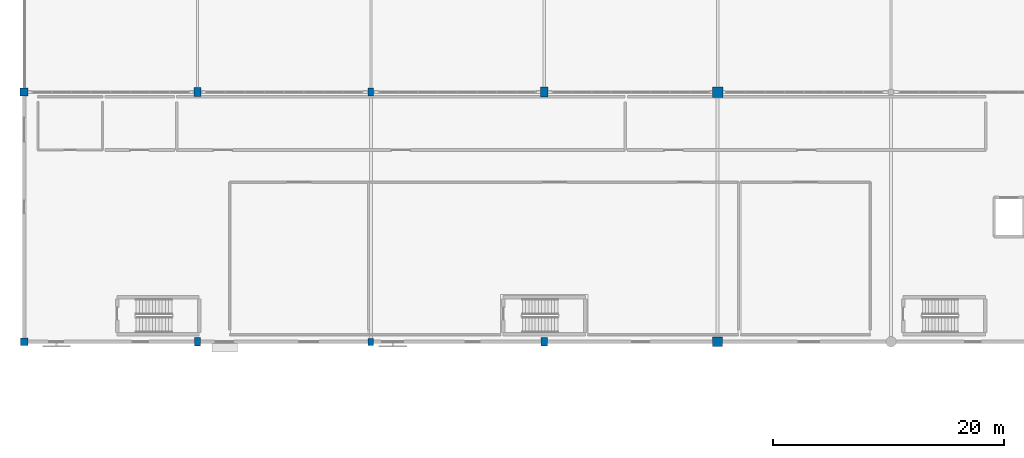
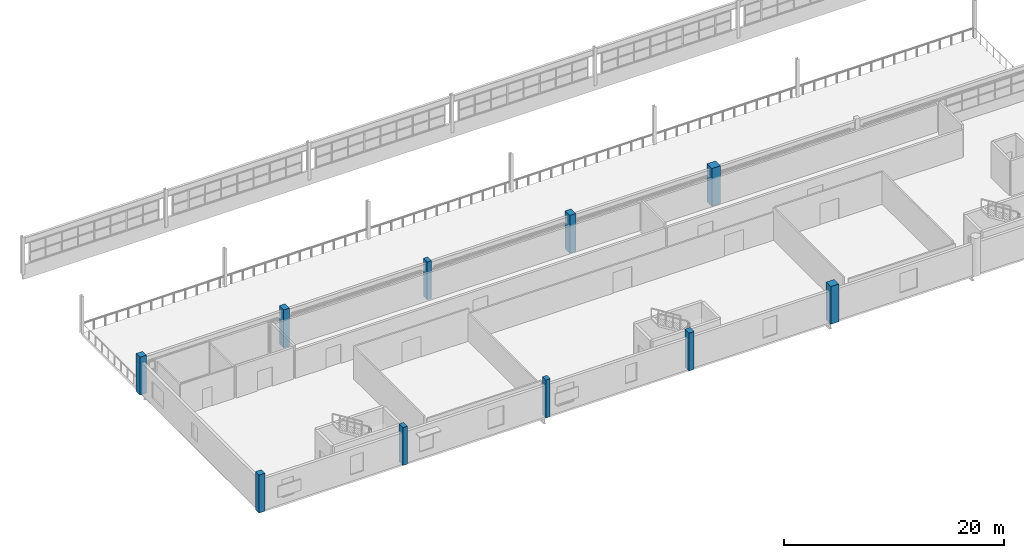
# One storey, part 1 of 92: 10 columns.
"""IFC4 building model written with IfcOpenShell, lengths in metres."""

from ifc_helpers import new_model, si_unit, direction, frame, origin, origin_2d, place, context, subcontext, project, spatial, rectangle, extrude, material, material_profile, profile_set, type_object, element, save


model = new_model("IFC4")

# Units and contexts
model_context = context("Model", 3, precision=1e-05, world=origin(), true_north=direction((0.0, 1.0)))
body_context = subcontext(model_context, "Body", "Model", "MODEL_VIEW")
ifc_project = project(units=[si_unit("LENGTHUNIT", "METRE"), si_unit("AREAUNIT", "SQUARE_METRE"), si_unit("VOLUMEUNIT", "CUBIC_METRE"), si_unit("PLANEANGLEUNIT", "RADIAN"), si_unit("MASSUNIT", "GRAM", prefix="KILO")], contexts=[model_context])

# Site, building, storey
site_placement = place(None, origin())
site = spatial("IfcSite", under=ifc_project, at=site_placement, CompositionType="ELEMENT")
building_placement = place(site_placement, origin())
building = spatial("IfcBuilding", under=site, at=building_placement, Name="Solanera Park Tramway Depot", CompositionType="ELEMENT")
storey_placement = place(building_placement, frame((0.0, 0.0, 4.800048828125)))
storey = spatial("IfcBuildingStorey", under=building, at=storey_placement, Name="L01", CompositionType="ELEMENT", Elevation=4.800048828125)

# Columns
ifc_material_1 = material(Name="Concrete N40 (C40/50)", Category="concrete")
ifc_material_profile_1 = material_profile(ifc_material_1, rectangle(XDim=0.449951171875, YDim=0.60009765625, at=origin_2d()), Name="RC 450x600")
ifc_profile_set_1 = profile_set([ifc_material_profile_1], Name="Concrete N40 (C40/50)")
column_type_1 = type_object("IfcColumnType", Name="RC Column Ext RC 450x600", PredefinedType="COLUMN", material=ifc_profile_set_1)
column_1_placement = place(storey_placement, frame((30.0, 10.800048828125, 0.0), z_axis=(0.0, 0.0, 1.0), x_axis=(1.0, 0.0, 0.0)))
element("IfcColumn", 1, at=column_1_placement, inside=storey, type_object=column_type_1, Name="L01 Column V2-X300-Y108", PredefinedType="COLUMN", context=body_context, shape_type="SweptSolid", body=[
    extrude(rectangle(XDim=0.449951171875, YDim=0.60009765625, at=origin_2d()), origin(), (0.0, 0.0, 1.0), 4.199951171875),
])
ifc_material_2 = material(Name="Concrete N40 (C40/50)", Category="concrete")
ifc_material_profile_2 = material_profile(ifc_material_2, rectangle(XDim=0.5, YDim=0.699951171875, at=origin_2d()), Name="RC 500x700")
ifc_profile_set_2 = profile_set([ifc_material_profile_2], Name="Concrete N40 (C40/50)")
column_type_2 = type_object("IfcColumnType", Name="RC Column Ext RC 500x700", PredefinedType="COLUMN", material=ifc_profile_set_2)
column_2_placement = place(storey_placement, frame((15.0, 10.800048828125, 0.0), z_axis=(0.0, 0.0, 1.0), x_axis=(1.0, 0.0, 0.0)))
element("IfcColumn", 2, at=column_2_placement, inside=storey, type_object=column_type_2, Name="L01 Column V2-X150-Y108", PredefinedType="COLUMN", context=body_context, shape_type="SweptSolid", body=[
    extrude(rectangle(XDim=0.5, YDim=0.699951171875, at=origin_2d()), origin(), (0.0, 0.0, 1.0), 4.199951171875),
])
ifc_material_3 = material(Name="Concrete N40 (C40/50)", Category="concrete")
ifc_material_profile_3 = material_profile(ifc_material_3, rectangle(XDim=0.550048828125, YDim=0.75, at=origin_2d()), Name="RC 550x750")
ifc_profile_set_3 = profile_set([ifc_material_profile_3], Name="Concrete N40 (C40/50)")
column_type_3 = type_object("IfcColumnType", Name="RC Column Ext RC 550x750", PredefinedType="COLUMN", material=ifc_profile_set_3)
column_3_placement = place(storey_placement, frame((45.0, 10.800048828125, 0.0), z_axis=(0.0, 0.0, 1.0), x_axis=(1.0, 0.0, 0.0)))
element("IfcColumn", 3, at=column_3_placement, inside=storey, type_object=column_type_3, Name="L01 Column V2-X450-Y108", PredefinedType="COLUMN", context=body_context, shape_type="SweptSolid", body=[
    extrude(rectangle(XDim=0.550048828125, YDim=0.75, at=origin_2d()), origin(), (0.0, 0.0, 1.0), 4.199951171875),
])
ifc_material_4 = material(Name="Concrete N40 (C40/50)", Category="concrete")
ifc_material_profile_4 = material_profile(ifc_material_4, rectangle(XDim=0.64990234375, YDim=0.64990234375, at=origin_2d()), Name="RC 650x650")
ifc_profile_set_4 = profile_set([ifc_material_profile_4], Name="Concrete N40 (C40/50)")
column_type_4 = type_object("IfcColumnType", Name="RC Column Ext RC 650x650", PredefinedType="COLUMN", material=ifc_profile_set_4)
column_4_placement = place(storey_placement, frame((0.0, 10.800048828125, 0.0), z_axis=(0.0, 0.0, 1.0), x_axis=(1.0, 0.0, 0.0)))
element("IfcColumn", 4, at=column_4_placement, inside=storey, type_object=column_type_4, Name="L01 Column V2-X0-Y108", PredefinedType="COLUMN", context=body_context, shape_type="SweptSolid", body=[
    extrude(rectangle(XDim=0.64990234375, YDim=0.64990234375, at=origin_2d()), origin(), (0.0, 0.0, 1.0), 4.199951171875),
])
ifc_material_5 = material(Name="Concrete N40 (C40/50)", Category="concrete")
ifc_material_profile_5 = material_profile(ifc_material_5, rectangle(XDim=0.699951171875, YDim=0.699951171875, at=origin_2d()), Name="RC 700x700")
ifc_profile_set_5 = profile_set([ifc_material_profile_5], Name="Concrete N40 (C40/50)")
column_type_5 = type_object("IfcColumnType", Name="RC Column Ext RC 700x700", PredefinedType="COLUMN", material=ifc_profile_set_5)
column_5_placement = place(storey_placement, frame((0.0, 32.39990234375, 0.0), z_axis=(0.0, 0.0, 1.0), x_axis=(1.0, 0.0, 0.0)))
element("IfcColumn", 5, at=column_5_placement, inside=storey, type_object=column_type_5, Name="L01 Column V2-X0-Y324", PredefinedType="COLUMN", context=body_context, shape_type="SweptSolid", body=[
    extrude(rectangle(XDim=0.699951171875, YDim=0.699951171875, at=origin_2d()), origin(), (0.0, 0.0, 1.0), 4.199951171875),
])
ifc_material_6 = material(Name="Concrete N40 (C40/50)", Category="concrete")
ifc_material_profile_6 = material_profile(ifc_material_6, rectangle(XDim=0.85009765625, YDim=0.85009765625, at=origin_2d()), Name="RC 850x850")
ifc_profile_set_6 = profile_set([ifc_material_profile_6], Name="Concrete N40 (C40/50)")
column_type_6 = type_object("IfcColumnType", Name="RC Column Ext RC 850x850", PredefinedType="COLUMN", material=ifc_profile_set_6)
column_6_placement = place(storey_placement, frame((60.0, 10.800048828125, 0.0), z_axis=(0.0, 0.0, 1.0), x_axis=(1.0, 0.0, 0.0)))
element("IfcColumn", 6, at=column_6_placement, inside=storey, type_object=column_type_6, Name="L01 Column V2-X600-Y108", PredefinedType="COLUMN", context=body_context, shape_type="SweptSolid", body=[
    extrude(rectangle(XDim=0.85009765625, YDim=0.85009765625, at=origin_2d()), origin(), (0.0, 0.0, 1.0), 4.199951171875),
])
ifc_material_7 = material(Name="Concrete N40 (C40/50)", Category="concrete")
ifc_material_profile_7 = material_profile(ifc_material_7, rectangle(XDim=0.449951171875, YDim=0.699951171875, at=origin_2d()), Name="RC 450x700")
ifc_profile_set_7 = profile_set([ifc_material_profile_7], Name="Concrete N40 (C40/50)")
column_type_7 = type_object("IfcColumnType", Name="RC Column Int RC 450x700", PredefinedType="COLUMN", material=ifc_profile_set_7)
column_7_placement = place(storey_placement, frame((30.0, 32.39990234375, 0.0), z_axis=(0.0, 0.0, 1.0), x_axis=(1.0, 0.0, 0.0)))
element("IfcColumn", 7, at=column_7_placement, inside=storey, type_object=column_type_7, Name="L01 Column V2-X300-Y324", PredefinedType="COLUMN", context=body_context, shape_type="SweptSolid", body=[
    extrude(rectangle(XDim=0.449951171875, YDim=0.699951171875, at=origin_2d()), origin(), (0.0, 0.0, 1.0), 4.199951171875),
])
ifc_material_8 = material(Name="Concrete N40 (C40/50)", Category="concrete")
ifc_material_profile_8 = material_profile(ifc_material_8, rectangle(XDim=0.60009765625, YDim=0.800048828125, at=origin_2d()), Name="RC 600x800")
ifc_profile_set_8 = profile_set([ifc_material_profile_8], Name="Concrete N40 (C40/50)")
column_type_8 = type_object("IfcColumnType", Name="RC Column Int RC 600x800", PredefinedType="COLUMN", material=ifc_profile_set_8)
column_8_placement = place(storey_placement, frame((15.0, 32.39990234375, 0.0), z_axis=(0.0, 0.0, 1.0), x_axis=(1.0, 0.0, 0.0)))
element("IfcColumn", 8, at=column_8_placement, inside=storey, type_object=column_type_8, Name="L01 Column V2-X150-Y324", PredefinedType="COLUMN", context=body_context, shape_type="SweptSolid", body=[
    extrude(rectangle(XDim=0.60009765625, YDim=0.800048828125, at=origin_2d()), origin(), (0.0, 0.0, 1.0), 4.199951171875),
])
ifc_material_9 = material(Name="Concrete N40 (C40/50)", Category="concrete")
ifc_material_profile_9 = material_profile(ifc_material_9, rectangle(XDim=0.64990234375, YDim=0.85009765625, at=origin_2d()), Name="RC 650x850")
ifc_profile_set_9 = profile_set([ifc_material_profile_9], Name="Concrete N40 (C40/50)")
column_type_9 = type_object("IfcColumnType", Name="RC Column Int RC 650x850", PredefinedType="COLUMN", material=ifc_profile_set_9)
column_9_placement = place(storey_placement, frame((45.0, 32.39990234375, 0.0), z_axis=(0.0, 0.0, 1.0), x_axis=(1.0, 0.0, 0.0)))
element("IfcColumn", 9, at=column_9_placement, inside=storey, type_object=column_type_9, Name="L01 Column V2-X450-Y324", PredefinedType="COLUMN", context=body_context, shape_type="SweptSolid", body=[
    extrude(rectangle(XDim=0.64990234375, YDim=0.85009765625, at=origin_2d()), origin(), (0.0, 0.0, 1.0), 4.199951171875),
])
ifc_material_10 = material(Name="Concrete N40 (C40/50)", Category="concrete")
ifc_material_profile_10 = material_profile(ifc_material_10, rectangle(XDim=0.89990234375, YDim=0.89990234375, at=origin_2d()), Name="RC 900x900")
ifc_profile_set_10 = profile_set([ifc_material_profile_10], Name="Concrete N40 (C40/50)")
column_type_10 = type_object("IfcColumnType", Name="RC Column Int RC 900x900", PredefinedType="COLUMN", material=ifc_profile_set_10)
column_10_placement = place(storey_placement, frame((60.0, 32.39990234375, 0.0), z_axis=(0.0, 0.0, 1.0), x_axis=(1.0, 0.0, 0.0)))
element("IfcColumn", 10, at=column_10_placement, inside=storey, type_object=column_type_10, Name="L01 Column V2-X600-Y324", PredefinedType="COLUMN", context=body_context, shape_type="SweptSolid", body=[
    extrude(rectangle(XDim=0.89990234375, YDim=0.89990234375, at=origin_2d()), origin(), (0.0, 0.0, 1.0), 4.199951171875),
])

save(model, "model.ifc")
